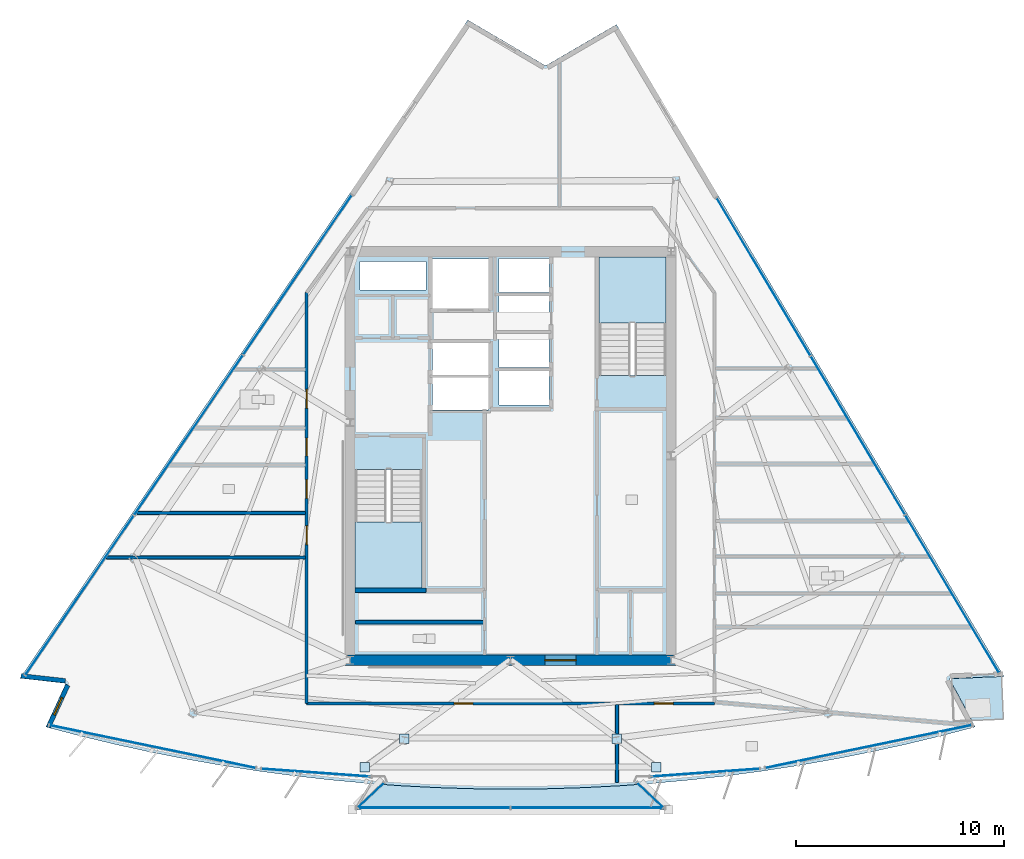
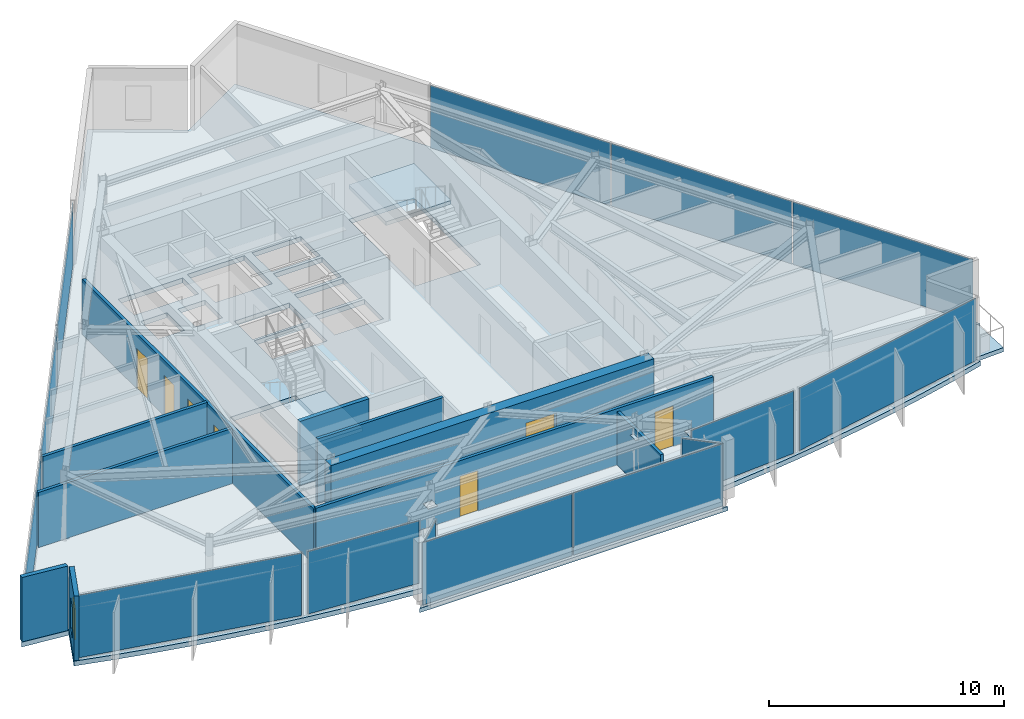
# One storey, part 6 of 13: 18 plates, 10 walls, 7 doors, 5 slabs, 1 window, 8 openings, 11 elements without a shape of their own.
"""IFC4 building model written with IfcOpenShell, lengths in metres."""

from ifc_helpers import new_model, si_unit, direction, frame, frame_2d, origin, origin_2d, place, context, subcontext, project, spatial, polyline, rectangle, outline, extrude, material, layer, layer_set, type_object, element, fill, aggregate, save


model = new_model("IFC4")

# Units and contexts
model_context = context("Model", 3, precision=1e-05, world=origin(), true_north=direction((0.0, 1.0)))
body_context = subcontext(model_context, "Body", "Model", "MODEL_VIEW")
ifc_project = project(units=[si_unit("LENGTHUNIT", "METRE"), si_unit("AREAUNIT", "SQUARE_METRE"), si_unit("VOLUMEUNIT", "CUBIC_METRE"), si_unit("PLANEANGLEUNIT", "RADIAN"), si_unit("MASSUNIT", "GRAM", prefix="KILO")], contexts=[model_context])

# Site, building, storey
site_placement = place(None, origin())
site = spatial("IfcSite", under=ifc_project, at=site_placement, CompositionType="ELEMENT")
building_placement = place(site_placement, origin())
building = spatial("IfcBuilding", under=site, at=building_placement, Name="Savorim Split Tower", CompositionType="ELEMENT")
storey_placement = place(building_placement, frame((0.0, 0.0, 283.199951171875)))
storey = spatial("IfcBuildingStorey", under=building, at=storey_placement, Name="L75", CompositionType="ELEMENT", Elevation=283.199951171875)

# Curtain wall, plate
ifc_material_1 = material(Name="Dark Ceramic-Fritted Insulated Glass", Category="glass")
curtain_wall_type_1 = type_object("IfcCurtainWallType", Name="CW-TWR-FRIT-B", PredefinedType="NOTDEFINED", material=ifc_material_1)
curtain_wall_1_placement = place(storey_placement, origin())
curtain_wall_1 = element("IfcCurtainWall", 1, at=curtain_wall_1_placement, inside=storey, type_object=curtain_wall_type_1, Name="L75 Curtain Wall CW-L75-SF1A", PredefinedType="NOTDEFINED")
ifc_layer_1 = layer(ifc_material_1, 0.02587890625)
ifc_layer_set_1 = layer_set([ifc_layer_1], Name="CWP-FRITB-26")
plate_type_1 = type_object("IfcPlateType", Name="CWP-FRITB-26", PredefinedType="CURTAIN_PANEL", material=ifc_layer_set_1)
plate_1_placement = place(storey_placement, frame((-17.175537109375, -13.545654296875, 0.050048828125), z_axis=(0.0, 0.0, 1.0), x_axis=(0.979134131762, -0.203215038861, 0.0)))
plate_1 = element("IfcPlate", 2, at=plate_1_placement, type_object=plate_type_1, Name="CW-03 panel 1.1", PredefinedType="CURTAIN_PANEL", context=body_context, shape_type="SweptSolid", body=[
    extrude(rectangle(XDim=10.08544921875, YDim=0.02587890625, at=origin_2d()), origin(), (0.0, 0.0, 1.0), 3.25),
])
aggregate(curtain_wall_1, [plate_1])

curtain_wall_2_placement = place(storey_placement, origin())
curtain_wall_2 = element("IfcCurtainWall", 3, at=curtain_wall_2_placement, inside=storey, type_object=curtain_wall_type_1, Name="L75 Curtain Wall CW-L75-SF2A", PredefinedType="NOTDEFINED")
plate_2_placement = place(storey_placement, frame((-9.3173828125, -14.80029296875, 0.050048828125), z_axis=(0.0, 0.0, 1.0), x_axis=(0.997437022598, -0.071549884359, 0.0)))
plate_2 = element("IfcPlate", 4, at=plate_2_placement, type_object=plate_type_1, Name="CW-03 panel 1.1", PredefinedType="CURTAIN_PANEL", context=body_context, shape_type="SweptSolid", body=[
    extrude(rectangle(XDim=5.25390625, YDim=0.02587890625, at=origin_2d()), origin(), (0.0, 0.0, 1.0), 3.25),
])
aggregate(curtain_wall_2, [plate_2])

curtain_wall_3_placement = place(storey_placement, origin())
curtain_wall_3 = element("IfcCurtainWall", 5, at=curtain_wall_3_placement, inside=storey, type_object=curtain_wall_type_1, Name="L75 Curtain Wall CW-L75-SF3A", PredefinedType="NOTDEFINED")
plate_3_placement = place(storey_placement, frame((9.3173828125, -14.80029296875, 0.050048828125), z_axis=(0.0, 0.0, 1.0), x_axis=(0.997437022598, 0.071549884359, 0.0)))
plate_3 = element("IfcPlate", 6, at=plate_3_placement, type_object=plate_type_1, Name="CW-03 panel 1.1", PredefinedType="CURTAIN_PANEL", context=body_context, shape_type="SweptSolid", body=[
    extrude(rectangle(XDim=5.25390625, YDim=0.02587890625, at=origin_2d()), origin(), (0.0, 0.0, 1.0), 3.25),
])
aggregate(curtain_wall_3, [plate_3])

curtain_wall_4_placement = place(storey_placement, origin())
curtain_wall_4 = element("IfcCurtainWall", 7, at=curtain_wall_4_placement, inside=storey, type_object=curtain_wall_type_1, Name="L75 Curtain Wall CW-L75-SF4A", PredefinedType="NOTDEFINED")
plate_4_placement = place(storey_placement, frame((17.175537109375, -13.545654296875, 0.050048828125), z_axis=(0.0, 0.0, 1.0), x_axis=(0.979134131762, 0.203215038861, 0.0)))
plate_4 = element("IfcPlate", 8, at=plate_4_placement, type_object=plate_type_1, Name="CW-03 panel 1.1", PredefinedType="CURTAIN_PANEL", context=body_context, shape_type="SweptSolid", body=[
    extrude(rectangle(XDim=10.08544921875, YDim=0.02587890625, at=origin_2d()), origin(), (0.0, 0.0, 1.0), 3.25),
])
aggregate(curtain_wall_4, [plate_4])

# Curtain wall, plates
curtain_wall_5_placement = place(storey_placement, origin())
curtain_wall_5 = element("IfcCurtainWall", 9, at=curtain_wall_5_placement, inside=storey, type_object=curtain_wall_type_1, Name="L75 Curtain Wall CW-L75-EAST", PredefinedType="NOTDEFINED")
plate_5_placement = place(storey_placement, frame((21.18701171875, -6.226318359375, 0.050048828125), z_axis=(0.0, 0.0, 1.0), x_axis=(-0.511091684727, 0.859526200766, 0.0)))
plate_5 = element("IfcPlate", 10, at=plate_5_placement, type_object=plate_type_1, Name="CW-03 panel 1.1", PredefinedType="CURTAIN_PANEL", context=body_context, shape_type="SweptSolid", body=[
    extrude(rectangle(XDim=8.775390625, YDim=0.02587890625, at=origin_2d()), origin(), (0.0, 0.0, 1.0), 3.25),
])
plate_6_placement = place(storey_placement, frame((16.66357421875, 1.380615234375, 0.050048828125), z_axis=(0.0, 0.0, 1.0), x_axis=(-0.511091684727, 0.859526200766, 0.0)))
plate_6 = element("IfcPlate", 11, at=plate_6_placement, type_object=plate_type_1, Name="CW-03 panel 2.1", PredefinedType="CURTAIN_PANEL", context=body_context, shape_type="SweptSolid", body=[
    extrude(rectangle(XDim=8.80517578125, YDim=0.02587890625, at=origin_2d()), origin(), (0.0, 0.0, 1.0), 3.25),
])
plate_7_placement = place(storey_placement, frame((12.140380859375, 8.98779296875, 0.050048828125), z_axis=(0.0, 0.0, 1.0), x_axis=(-0.511091684727, 0.859526200766, 0.0)))
plate_7 = element("IfcPlate", 12, at=plate_7_placement, type_object=plate_type_1, Name="CW-03 panel 3.1", PredefinedType="CURTAIN_PANEL", context=body_context, shape_type="SweptSolid", body=[
    extrude(rectangle(XDim=8.775390625, YDim=0.02587890625, at=origin_2d()), origin(), (0.0, 0.0, 1.0), 3.25),
])
aggregate(curtain_wall_5, [plate_5, plate_6, plate_7])

curtain_wall_6_placement = place(storey_placement, origin())
curtain_wall_6 = element("IfcCurtainWall", 13, at=curtain_wall_6_placement, inside=storey, type_object=curtain_wall_type_1, Name="L75 Curtain Wall CW-L75-WEST", PredefinedType="NOTDEFINED")
plate_8_placement = place(storey_placement, frame((-10.220703125, 9.082275390625, 0.050048828125), z_axis=(0.0, 0.0, 1.0), x_axis=(-0.562470084107, -0.826817636776, 0.0)))
plate_8 = element("IfcPlate", 14, at=plate_8_placement, type_object=plate_type_1, Name="CW-03 panel 1.1", PredefinedType="CURTAIN_PANEL", context=body_context, shape_type="SweptSolid", body=[
    extrude(rectangle(XDim=9.22265625, YDim=0.02587890625, at=origin_2d()), origin(), (0.0, 0.0, 1.0), 3.25),
])
plate_9_placement = place(storey_placement, frame((-15.450439453125, 1.394775390625, 0.050048828125), z_axis=(0.0, 0.0, 1.0), x_axis=(-0.562470084107, -0.826817636776, 0.0)))
plate_9 = element("IfcPlate", 15, at=plate_9_placement, type_object=plate_type_1, Name="CW-03 panel 2.1", PredefinedType="CURTAIN_PANEL", context=body_context, shape_type="SweptSolid", body=[
    extrude(rectangle(XDim=9.252685546875, YDim=0.02587890625, at=origin_2d()), origin(), (0.0, 0.0, 1.0), 3.25),
])
plate_10_placement = place(storey_placement, frame((-20.679931640625, -6.292724609375, 0.050048828125), z_axis=(0.0, 0.0, 1.0), x_axis=(-0.562470084107, -0.826817636776, 0.0)))
plate_10 = element("IfcPlate", 16, at=plate_10_placement, type_object=plate_type_1, Name="CW-03 panel 3.1", PredefinedType="CURTAIN_PANEL", context=body_context, shape_type="SweptSolid", body=[
    extrude(rectangle(XDim=9.22265625, YDim=0.02587890625, at=origin_2d()), origin(), (0.0, 0.0, 1.0), 3.25),
])
aggregate(curtain_wall_6, [plate_8, plate_9, plate_10])

curtain_wall_type_2 = type_object("IfcCurtainWallType", Name="CW-BAY-LOUNGE", PredefinedType="NOTDEFINED", material=ifc_material_1)
curtain_wall_7_placement = place(storey_placement, origin())
curtain_wall_7 = element("IfcCurtainWall", 17, at=curtain_wall_7_placement, inside=storey, type_object=curtain_wall_type_2, Name="L75 Curtain Wall CW-L75-BAYF", PredefinedType="NOTDEFINED")
ifc_material_2 = material(Name="Low-E Operable Double Glazing", Category="glass")
ifc_layer_2 = layer(ifc_material_2, 0.031982421875)
ifc_layer_set_2 = layer_set([ifc_layer_2], Name="CWP-POD-32")
plate_type_2 = type_object("IfcPlateType", Name="CWP-POD-32", PredefinedType="CURTAIN_PANEL", material=ifc_layer_set_2)
plate_11_placement = place(storey_placement, frame((-3.713134765625, -16.4794921875, 0.05517578125), z_axis=(0.0, 0.0, 1.0), x_axis=(1.0, 0.0, 0.0)))
plate_11 = element("IfcPlate", 18, at=plate_11_placement, type_object=plate_type_2, Name="CW-04 panel 1.1", PredefinedType="CURTAIN_PANEL", context=body_context, shape_type="SweptSolid", body=[
    extrude(rectangle(XDim=7.361083984375, YDim=0.031982421875, at=origin_2d()), origin(), (0.0, 0.0, 1.0), 3.239990234375),
])
plate_12_placement = place(storey_placement, frame((3.713134765625, -16.4794921875, 0.05517578125), z_axis=(0.0, 0.0, 1.0), x_axis=(1.0, 0.0, 0.0)))
plate_12 = element("IfcPlate", 19, at=plate_12_placement, type_object=plate_type_2, Name="CW-04 panel 2.1", PredefinedType="CURTAIN_PANEL", context=body_context, shape_type="SweptSolid", body=[
    extrude(rectangle(XDim=7.361083984375, YDim=0.031982421875, at=origin_2d()), origin(), (0.0, 0.0, 1.0), 3.239990234375),
])
aggregate(curtain_wall_7, [plate_11, plate_12])

# Curtain wall, plate
curtain_wall_8_placement = place(storey_placement, origin())
curtain_wall_8 = element("IfcCurtainWall", 20, at=curtain_wall_8_placement, inside=storey, type_object=curtain_wall_type_2, Name="L75 Curtain Wall CW-L75-BAYW", PredefinedType="NOTDEFINED")
plate_13_placement = place(storey_placement, frame((-6.695068359375, -15.880126953125, 0.05517578125), z_axis=(0.0, 0.0, 1.0), x_axis=(-0.725949819839, -0.68774767108, 0.0)))
plate_13 = element("IfcPlate", 21, at=plate_13_placement, type_object=plate_type_2, Name="CW-04 panel 1.1", PredefinedType="CURTAIN_PANEL", context=body_context, shape_type="SweptSolid", body=[
    extrude(rectangle(XDim=1.705078125, YDim=0.031982421875, at=origin_2d()), origin(), (0.0, 0.0, 1.0), 3.239990234375),
])
aggregate(curtain_wall_8, [plate_13])

curtain_wall_9_placement = place(storey_placement, origin())
curtain_wall_9 = element("IfcCurtainWall", 22, at=curtain_wall_9_placement, inside=storey, type_object=curtain_wall_type_2, Name="L75 Curtain Wall CW-L75-BAYE", PredefinedType="NOTDEFINED")
plate_14_placement = place(storey_placement, frame((6.695068359375, -15.880126953125, 0.05517578125), z_axis=(0.0, 0.0, 1.0), x_axis=(-0.725949819839, 0.68774767108, 0.0)))
plate_14 = element("IfcPlate", 23, at=plate_14_placement, type_object=plate_type_2, Name="CW-04 panel 1.1", PredefinedType="CURTAIN_PANEL", context=body_context, shape_type="SweptSolid", body=[
    extrude(rectangle(XDim=1.705078125, YDim=0.031982421875, at=origin_2d()), origin(), (0.0, 0.0, 1.0), 3.239990234375),
])
aggregate(curtain_wall_9, [plate_14])

# Plates
ifc_material_3 = material(Name="Steel S460", Category="steel")
ifc_layer_3 = layer(ifc_material_3, 0.02490234375)
ifc_layer_set_3 = layer_set([ifc_layer_3], Name="PLT-NODE-CN1")
plate_type_3 = type_object("IfcPlateType", Name="PLT-NODE-CN1", PredefinedType="SHEET", material=ifc_layer_set_3)
for number, where, z_axis, x_axis, name in (
    (24, (-5.097412109375, -13.1787109375, 2.4375), (0.0, 0.0, 1.0), (1.0, 0.0, 0.0), "L75 Bay Strut Column Gusset Plate 1"),
    (25, (-6.9833984375, -14.529541015625, 2.8076171875), (0.0, 0.0, 1.0), (1.0, 0.0, 0.0), "L75 Bay Strut Tip Gusset Plate 1"),
    (26, (5.097412109375, -13.1787109375, 2.4375), (0.0, 0.0, 1.0), (1.0, 0.0, 0.0), "L75 Bay Strut Column Gusset Plate 2"),
    (27, (6.9833984375, -14.529541015625, 2.8076171875), (0.0, 0.0, 1.0), (1.0, 0.0, 0.0), "L75 Bay Strut Tip Gusset Plate 2"),
):
    element("IfcPlate", number, at=place(storey_placement, frame(where, z_axis=z_axis, x_axis=x_axis)), inside=storey, type_object=plate_type_3, Name=name, PredefinedType="SHEET", context=body_context, shape_type="SweptSolid", body=[
        extrude(rectangle(XDim=0.4599609375, YDim=0.4599609375, at=origin_2d()), origin(), (0.0, 0.0, 1.0), 0.02490234375),
    ])

# Slabs
ifc_material_4 = material(Name="Concrete C50/60", Category="concrete")
ifc_layer_4 = layer(ifc_material_4, 0.219970703125)
ifc_layer_set_4 = layer_set([ifc_layer_4], Name="SLB-BAL-220")
slab_type_1 = type_object("IfcSlabType", Name="SLB-BAL-220", PredefinedType="FLOOR", material=ifc_layer_set_4)
slab_1_placement = place(storey_placement, frame((0.0, 0.0, -0.219970703125)))
element("IfcSlab", 28, at=slab_1_placement, inside=storey, type_object=slab_type_1, Name="L75 Cantilevered Shared Kitchen Lounge Slab", PredefinedType="FLOOR", context=body_context, shape_type="SweptSolid", body=[
    extrude(outline(polyline([(6.28271484375, -15.351806640625), (5.20263671875, -15.42919921875), (3.4697265625, -15.51806640625), (1.735107421875, -15.5712890625), (0.0, -15.589111328125), (-1.735107421875, -15.5712890625), (-3.4697265625, -15.51806640625), (-5.20263671875, -15.42919921875), (-6.28271484375, -15.351806640625), (-7.57861328125, -16.57958984375), (7.57861328125, -16.57958984375), (6.28271484375, -15.351806640625)])), origin(), (0.0, 0.0, 1.0), 0.219970703125),
])
slab_2_placement = place(storey_placement, frame((0.0, 0.0, -0.219970703125)))
element("IfcSlab", 29, at=slab_2_placement, inside=storey, type_object=slab_type_1, Name="L75 Notched Corner Planted Tree Balcony Slab", PredefinedType="FLOOR", context=body_context, shape_type="SweptSolid", body=[
    extrude(outline(polyline([(23.555908203125, -10.18701171875), (21.170654296875, -10.28857421875), (21.1806640625, -10.5205078125), (22.132568359375, -12.29443359375), (23.64306640625, -12.230224609375), (23.555908203125, -10.18701171875)])), origin(), (0.0, 0.0, 1.0), 0.219970703125),
])

# Stair, slab
stair_type = type_object("IfcStairType", Name="STR-DOG-3600", PredefinedType="HALF_TURN_STAIR", material=ifc_material_4)
stair_1_placement = place(storey_placement, origin())
stair_1 = element("IfcStair", 30, at=stair_1_placement, inside=storey, type_object=stair_type, Name="L75 Core Protected Exit Stair ST-1", PredefinedType="HALF_TURN_STAIR")
ifc_layer_5 = layer(ifc_material_4, 0.199951171875)
ifc_layer_set_5 = layer_set([ifc_layer_5], Name="SLB-LND-200")
slab_type_2 = type_object("IfcSlabType", Name="SLB-LND-200", PredefinedType="LANDING", material=ifc_layer_set_5)
slab_3_placement = place(storey_placement, frame((0.0, 0.0, 1.60009765625)))
slab_3 = element("IfcSlab", 31, at=slab_3_placement, type_object=slab_type_2, Name="ST-1 landing 1", PredefinedType="LANDING", context=body_context, shape_type="SweptSolid", body=[
    extrude(outline(polyline([(-7.449951171875, -2.77001953125), (-7.449951171875, -5.949951171875), (-4.25, -5.949951171875), (-4.25, -2.77001953125), (-7.449951171875, -2.77001953125)])), origin(), (0.0, 0.0, 1.0), 0.199951171875),
])
aggregate(stair_1, [slab_3])

stair_2_placement = place(storey_placement, origin())
stair_2 = element("IfcStair", 32, at=stair_2_placement, inside=storey, type_object=stair_type, Name="L75 Core Protected Exit Stair ST-2", PredefinedType="HALF_TURN_STAIR")
slab_4_placement = place(storey_placement, frame((0.0, 0.0, 1.60009765625)))
slab_4 = element("IfcSlab", 33, at=slab_4_placement, type_object=slab_type_2, Name="ST-2 landing 1", PredefinedType="LANDING", context=body_context, shape_type="SweptSolid", body=[
    extrude(outline(polyline([(7.449951171875, 6.77001953125), (7.449951171875, 9.949951171875), (4.25, 9.949951171875), (4.25, 6.77001953125), (7.449951171875, 6.77001953125)])), origin(), (0.0, 0.0, 1.0), 0.199951171875),
])
aggregate(stair_2, [slab_4])

# Slab
ifc_layer_6 = layer(ifc_material_4, 0.25)
ifc_layer_set_6 = layer_set([ifc_layer_6], Name="SLB-TWR-250")
slab_type_3 = type_object("IfcSlabType", Name="SLB-TWR-250", PredefinedType="FLOOR", material=ifc_layer_set_6)
slab_5_placement = place(storey_placement, frame((0.0, 0.0, -0.25)))
element("IfcSlab", 34, at=slab_5_placement, inside=storey, type_object=slab_type_3, Name="L75 Structural Floor Slab", PredefinedType="FLOOR", context=body_context, shape_type="SweptSolid", body=[
    extrude(outline(polyline([(-22.2939453125, -12.60595703125), (-20.615234375, -13.045166015625), (-18.927734375, -13.44970703125), (-17.232421875, -13.819580078125), (-15.52978515625, -14.15478515625), (-13.820556640625, -14.455078125), (-12.105712890625, -14.720458984375), (-10.3857421875, -14.95068359375), (-8.66162109375, -15.1455078125), (-6.93359375, -15.30517578125), (-5.20263671875, -15.42919921875), (-3.4697265625, -15.51806640625), (-1.735107421875, -15.5712890625), (0.0, -15.589111328125), (1.735107421875, -15.5712890625), (3.4697265625, -15.51806640625), (5.20263671875, -15.42919921875), (6.93359375, -15.30517578125), (8.66162109375, -15.1455078125), (10.3857421875, -14.95068359375), (12.105712890625, -14.720458984375), (13.820556640625, -14.455078125), (15.52978515625, -14.15478515625), (17.232421875, -13.819580078125), (18.927734375, -13.44970703125), (20.615234375, -13.045166015625), (22.2939453125, -12.60595703125), (21.050537109375, -10.288818359375), (23.67578125, -10.177001953125), (5.08203125, 21.0927734375), (1.687744140625, 19.114501953125), (-2.047607421875, 21.31005859375), (-23.530517578125, -10.269287109375), (-21.333251953125, -10.514892578125), (-22.2939453125, -12.60595703125)]), holes=[polyline([(-7.449951171875, -0.25390625), (-7.449951171875, -5.949951171875), (-4.25, -5.949951171875), (-4.25, -0.25390625), (-7.449951171875, -0.25390625)]), polyline([(7.449951171875, 4.25390625), (7.449951171875, 9.949951171875), (4.25, 9.949951171875), (4.25, 4.25390625), (7.449951171875, 4.25390625)]), polyline([(-0.550048828125, 2.830078125), (1.85009765625, 2.830078125), (1.85009765625, 4.469970703125), (-0.550048828125, 4.469970703125), (-0.550048828125, 2.830078125)]), polyline([(-0.550048828125, 4.6298828125), (1.85009765625, 4.6298828125), (1.85009765625, 6.27001953125), (-0.550048828125, 6.27001953125), (-0.550048828125, 4.6298828125)]), polyline([(-0.550048828125, 6.429931640625), (1.85009765625, 6.429931640625), (1.85009765625, 8.070068359375), (-0.550048828125, 8.070068359375), (-0.550048828125, 6.429931640625)]), polyline([(-0.550048828125, 8.22998046875), (1.85009765625, 8.22998046875), (1.85009765625, 9.8701171875), (-0.550048828125, 9.8701171875), (-0.550048828125, 8.22998046875)]), polyline([(-3.75, 2.60009765625), (-1.050048828125, 2.60009765625), (-1.050048828125, 4.159912109375), (-3.75, 4.159912109375), (-3.75, 2.60009765625)]), polyline([(-3.75, 4.280029296875), (-1.050048828125, 4.280029296875), (-1.050048828125, 5.840087890625), (-3.75, 5.840087890625), (-3.75, 4.280029296875)]), polyline([(-3.75, 7.449951171875), (-0.949951171875, 7.449951171875), (-0.949951171875, 9.85009765625), (-3.75, 9.85009765625), (-3.75, 7.449951171875)]), polyline([(-7.219970703125, 6.320068359375), (-5.919921875, 6.320068359375), (-5.919921875, 7.820068359375), (-7.219970703125, 7.820068359375), (-7.219970703125, 6.320068359375)]), polyline([(-5.3798828125, 6.320068359375), (-4.050048828125, 6.320068359375), (-4.050048828125, 7.820068359375), (-5.3798828125, 7.820068359375), (-5.3798828125, 6.320068359375)]), polyline([(-7.219970703125, 8.360107421875), (-4.050048828125, 8.360107421875), (-4.050048828125, 9.719970703125), (-7.219970703125, 9.719970703125), (-7.219970703125, 8.360107421875)])]), origin(), (0.0, 0.0, 1.0), 0.25),
])

# Wall, opening, door
ifc_material_5 = material(Name="Concrete C60/75", Category="concrete")
ifc_layer_7 = layer(ifc_material_5, 0.5)
ifc_layer_set_7 = layer_set([ifc_layer_7], Name="WAL-COR-SH500")
wall_type_1 = type_object("IfcWallType", Name="WAL-COR-SH500", PredefinedType="SHEAR", material=ifc_layer_set_7)
wall_1_placement = place(storey_placement, frame((-7.949951171875, -9.39990234375, 0.0), z_axis=(0.0, 0.0, 1.0), x_axis=(1.0, 0.0, 0.0)))
wall_1 = element("IfcWall", 35, at=wall_1_placement, inside=storey, type_object=wall_type_1, Name="L75 Offset Core South Shear Wall", PredefinedType="SHEAR", context=body_context, shape_type="SweptSolid", body=[
    extrude(rectangle(XDim=15.89990234375, YDim=0.5, at=frame_2d((7.949951171875, 0.0))), origin(), (0.0, 0.0, 1.0), 3.35009765625),
])
opening_1_placement = place(wall_1_placement, frame((9.60009765625, 0.0, 0.0)))
opening_1 = element("IfcOpeningElement", 36, at=opening_1_placement, cuts=wall_1, Name="Opening DI-02", PredefinedType="OPENING", context=body_context, shape_type="SweptSolid", body=[
    extrude(rectangle(XDim=1.5, YDim=2.199951171875, at=frame_2d((0.75, 1.10009765625))), frame((0.0, 0.260009765625, 0.0), z_axis=(0.0, -1.0, 0.0), x_axis=(1.0, 0.0, 0.0)), (0.0, 0.0, 1.0), 0.52001953125),
])
ifc_material_6 = material(Name="Timber Fire Door Leaf", Category="wood")
door_type_1 = type_object("IfcDoorType", Name="DOR-DBL-1500", OperationType="NOTDEFINED", PredefinedType="DOOR", material=ifc_material_6)
door_1_placement = place(opening_1_placement, origin())
door_1 = element("IfcDoor", 37, at=door_1_placement, inside=storey, type_object=door_type_1, Name="DOR-L75-COR-LLOB - L75 Lift Lobby Main Rated Door", OperationType="DOUBLE_DOOR_SINGLE_SWING", OverallHeight=2.199951171875, OverallWidth=1.5, PredefinedType="DOOR", context=body_context, shape_type="SweptSolid", body=[
    extrude(rectangle(XDim=1.5, YDim=2.199951171875, at=frame_2d((0.75, 1.10009765625))), frame((0.0, 0.02490234375, 0.0), z_axis=(0.0, -1.0, 0.0), x_axis=(1.0, 0.0, 0.0)), (0.0, 0.0, 1.0), 0.050048828125),
])
fill(opening_1, door_1)

# Wall
ifc_material_7 = material(Name="Precast concrete C40/50", Category="concrete")
ifc_layer_8 = layer(ifc_material_7, 0.219970703125)
ifc_layer_set_8 = layer_set([ifc_layer_8], Name="WAL-EXT-CRN220")
wall_type_2 = type_object("IfcWallType", Name="WAL-EXT-CRN220", PredefinedType="SOLIDWALL", material=ifc_layer_set_8)
wall_2_placement = place(storey_placement, frame((-21.359619140625, -10.39111328125, 0.0), z_axis=(0.0, 0.0, 1.0), x_axis=(-0.993817888275, 0.111022542511, 0.0)))
element("IfcWall", 38, at=wall_2_placement, inside=storey, type_object=wall_type_2, Name="L75 Notched Corner Facade Wall SW1", PredefinedType="SOLIDWALL", context=body_context, shape_type="SweptSolid", body=[
    extrude(rectangle(XDim=2.130859375, YDim=0.219970703125, at=frame_2d((1.0654296875, 0.0))), origin(), (0.0, 0.0, 1.0), 3.35009765625),
])

# Wall, opening, window
wall_3_placement = place(storey_placement, frame((-22.168212890625, -12.619873046875, 0.0), z_axis=(0.0, 0.0, 1.0), x_axis=(0.417426589535, 0.908710648308, 0.0)))
wall_3 = element("IfcWall", 39, at=wall_3_placement, inside=storey, type_object=wall_type_2, Name="L75 Notched Corner Facade Wall SW", PredefinedType="SOLIDWALL", context=body_context, shape_type="SweptSolid", body=[
    extrude(rectangle(XDim=2.221435546875, YDim=0.219970703125, at=frame_2d((1.11083984375, 0.0))), origin(), (0.0, 0.0, 1.0), 3.35009765625),
])
opening_2_placement = place(wall_3_placement, frame((0.66064453125, 0.0, 0.6201171875)))
opening_2 = element("IfcOpeningElement", 40, at=opening_2_placement, cuts=wall_3, Name="Opening WN-10", PredefinedType="OPENING", context=body_context, shape_type="SweptSolid", body=[
    extrude(rectangle(XDim=0.89990234375, YDim=1.60009765625, at=frame_2d((0.449951171875, 0.800048828125))), frame((0.0, 0.119873046875, 0.0), z_axis=(0.0, -1.0, 0.0), x_axis=(1.0, 0.0, 0.0)), (0.0, 0.0, 1.0), 0.239990234375),
])
window_type = type_object("IfcWindowType", Name="WIN-TWR-900x1600", PartitioningType="SINGLE_PANEL", PredefinedType="WINDOW", material=ifc_material_2)
window_placement = place(opening_2_placement, origin())
window = element("IfcWindow", 41, at=window_placement, inside=storey, type_object=window_type, Name="L75 Operable Corner Window SW", OverallHeight=1.60009765625, OverallWidth=0.89990234375, PartitioningType="SINGLE_PANEL", PredefinedType="WINDOW", context=body_context, shape_type="SweptSolid", body=[
    extrude(rectangle(XDim=0.89990234375, YDim=1.60009765625, at=frame_2d((0.449951171875, 0.800048828125))), frame((0.0, 0.030029296875, 0.0), z_axis=(0.0, -1.0, 0.0), x_axis=(1.0, 0.0, 0.0)), (0.0, 0.0, 1.0), 0.06005859375),
])
fill(opening_2, window)

# Walls
ifc_layer_9 = layer(ifc_material_4, 0.199951171875)
ifc_layer_set_9 = layer_set([ifc_layer_9], Name="WAL-INT-RC200")
wall_type_3 = type_object("IfcWallType", Name="WAL-INT-RC200", PredefinedType="SOLIDWALL", material=ifc_layer_set_9)
wall_4_placement = place(storey_placement, frame((-7.449951171875, -6.050048828125, 0.0), z_axis=(0.0, 0.0, 1.0), x_axis=(1.0, 0.0, 0.0)))
element("IfcWall", 42, at=wall_4_placement, inside=storey, type_object=wall_type_3, Name="L75 Structural Shaft Wall W-L75-KSEP-W", PredefinedType="SOLIDWALL", context=body_context, shape_type="SweptSolid", body=[
    extrude(rectangle(XDim=3.39990234375, YDim=0.199951171875, at=frame_2d((1.699951171875, 0.0))), origin(), (0.0, 0.0, 1.0), 3.35009765625),
])
ifc_material_8 = material(Name="Acoustic Gypsum Partition Board")
ifc_layer_10 = layer(ifc_material_8, 0.14990234375)
ifc_layer_set_10 = layer_set([ifc_layer_10], Name="WAL-PAR-150")
wall_type_4 = type_object("IfcWallType", Name="WAL-PAR-150", PredefinedType="PARTITIONING", material=ifc_layer_set_10)
wall_5_placement = place(storey_placement, frame((-7.445068359375, -7.580078125, 0.0), z_axis=(0.0, 0.0, 1.0), x_axis=(1.0, 0.0, 0.0)))
element("IfcWall", 43, at=wall_5_placement, inside=storey, type_object=wall_type_4, Name="L75 Partition W-L75-K2H", PredefinedType="PARTITIONING", context=body_context, shape_type="SweptSolid", body=[
    extrude(rectangle(XDim=6.195068359375, YDim=0.14990234375, at=frame_2d((3.09765625, 0.0))), origin(), (0.0, 0.0, 1.0), 3.35009765625),
])

# Wall, openings, doors
wall_6_placement = place(storey_placement, frame((-9.780029296875, -11.47998046875, 0.0), z_axis=(0.0, 0.0, 1.0), x_axis=(0.0, 1.0, 0.0)))
wall_6 = element("IfcWall", 44, at=wall_6_placement, inside=storey, type_object=wall_type_4, Name="L75 Partition W-L75-COR-01", PredefinedType="PARTITIONING", context=body_context, shape_type="SweptSolid", body=[
    extrude(rectangle(XDim=19.705810546875, YDim=0.14990234375, at=frame_2d((9.85302734375, 0.0))), origin(), (0.0, 0.0, 1.0), 2.875),
])
opening_3_placement = place(wall_6_placement, frame((9.83984375, 0.0, 0.0)))
opening_3 = element("IfcOpeningElement", 45, at=opening_3_placement, cuts=wall_6, Name="Opening DI-06", PredefinedType="OPENING", context=body_context, shape_type="SweptSolid", body=[
    extrude(rectangle(XDim=0.89990234375, YDim=2.10009765625, at=frame_2d((0.449951171875, 1.050048828125))), frame((0.0, 0.0849609375, 0.0), z_axis=(0.0, -1.0, 0.0), x_axis=(1.0, 0.0, 0.0)), (0.0, 0.0, 1.0), 0.169921875),
])
opening_4_placement = place(wall_6_placement, frame((7.620361328125, 0.0, 0.0)))
opening_4 = element("IfcOpeningElement", 46, at=opening_4_placement, cuts=wall_6, Name="Opening DI-06", PredefinedType="OPENING", context=body_context, shape_type="SweptSolid", body=[
    extrude(rectangle(XDim=0.89990234375, YDim=2.10009765625, at=frame_2d((0.449951171875, 1.050048828125))), frame((0.0, 0.0849609375, 0.0), z_axis=(0.0, -1.0, 0.0), x_axis=(1.0, 0.0, 0.0)), (0.0, 0.0, 1.0), 0.169921875),
])
opening_5_placement = place(wall_6_placement, frame((14.16796875, 0.0, 0.0)))
opening_5 = element("IfcOpeningElement", 47, at=opening_5_placement, cuts=wall_6, Name="Opening DI-11", PredefinedType="OPENING", context=body_context, shape_type="SweptSolid", body=[
    extrude(rectangle(XDim=0.89990234375, YDim=2.10009765625, at=frame_2d((0.449951171875, 1.050048828125))), frame((0.0, 0.0849609375, 0.0), z_axis=(0.0, -1.0, 0.0), x_axis=(1.0, 0.0, 0.0)), (0.0, 0.0, 1.0), 0.169921875),
])
opening_6_placement = place(wall_6_placement, frame((11.875244140625, 0.0, 0.0)))
opening_6 = element("IfcOpeningElement", 48, at=opening_6_placement, cuts=wall_6, Name="Opening DI-13", PredefinedType="OPENING", context=body_context, shape_type="SweptSolid", body=[
    extrude(rectangle(XDim=0.85009765625, YDim=2.10009765625, at=frame_2d((0.425048828125, 1.050048828125))), frame((0.0, 0.0849609375, 0.0), z_axis=(0.0, -1.0, 0.0), x_axis=(1.0, 0.0, 0.0)), (0.0, 0.0, 1.0), 0.169921875),
])
door_type_2 = type_object("IfcDoorType", Name="DOR-FIR-850", OperationType="NOTDEFINED", PredefinedType="DOOR", material=ifc_material_6)
door_2_placement = place(opening_6_placement, origin())
door_2 = element("IfcDoor", 49, at=door_2_placement, inside=storey, type_object=door_type_2, Name="DR-L75-RM15 - L75 Co-Living Bedroom Entry Door", OperationType="SINGLE_SWING_RIGHT", OverallHeight=2.10009765625, OverallWidth=0.85009765625, PredefinedType="DOOR", context=body_context, shape_type="SweptSolid", body=[
    extrude(rectangle(XDim=0.85009765625, YDim=2.10009765625, at=frame_2d((0.425048828125, 1.050048828125))), frame((0.0, 0.02490234375, 0.0), z_axis=(0.0, -1.0, 0.0), x_axis=(1.0, 0.0, 0.0)), (0.0, 0.0, 1.0), 0.050048828125),
])
fill(opening_6, door_2)
door_type_3 = type_object("IfcDoorType", Name="DOR-FIR-900", OperationType="NOTDEFINED", PredefinedType="DOOR", material=ifc_material_6)
door_3_placement = place(opening_3_placement, origin())
door_3 = element("IfcDoor", 50, at=door_3_placement, inside=storey, type_object=door_type_3, Name="DR-L75-RM01 - L75 Shared Kitchen Entry Door", OperationType="SINGLE_SWING_RIGHT", OverallHeight=2.10009765625, OverallWidth=0.89990234375, PredefinedType="DOOR", context=body_context, shape_type="SweptSolid", body=[
    extrude(rectangle(XDim=0.89990234375, YDim=2.10009765625, at=frame_2d((0.449951171875, 1.050048828125))), frame((0.0, 0.02490234375, 0.0), z_axis=(0.0, -1.0, 0.0), x_axis=(1.0, 0.0, 0.0)), (0.0, 0.0, 1.0), 0.050048828125),
])
fill(opening_3, door_3)
door_4_placement = place(opening_4_placement, origin())
door_4 = element("IfcDoor", 51, at=door_4_placement, inside=storey, type_object=door_type_3, Name="DR-L75-RM02 - L75 Maker Workshop Entry Door", OperationType="SINGLE_SWING_LEFT", OverallHeight=2.10009765625, OverallWidth=0.89990234375, PredefinedType="DOOR", context=body_context, shape_type="SweptSolid", body=[
    extrude(rectangle(XDim=0.89990234375, YDim=2.10009765625, at=frame_2d((0.449951171875, 1.050048828125))), frame((0.0, 0.02490234375, 0.0), z_axis=(0.0, -1.0, 0.0), x_axis=(1.0, 0.0, 0.0)), (0.0, 0.0, 1.0), 0.050048828125),
])
fill(opening_4, door_4)
ifc_material_9 = material(Name="Oak Veneer Acoustic Door")
door_type_4 = type_object("IfcDoorType", Name="DOR-WC-900", OperationType="NOTDEFINED", PredefinedType="DOOR", material=ifc_material_9)
door_5_placement = place(opening_5_placement, origin())
door_5 = element("IfcDoor", 52, at=door_5_placement, inside=storey, type_object=door_type_4, Name="DR-L75-RM14 - L75 Shared Bathroom Entry Door", OperationType="SINGLE_SWING_LEFT", OverallHeight=2.10009765625, OverallWidth=0.89990234375, PredefinedType="DOOR", context=body_context, shape_type="SweptSolid", body=[
    extrude(rectangle(XDim=0.89990234375, YDim=2.10009765625, at=frame_2d((0.449951171875, 1.050048828125))), frame((0.0, 0.02490234375, 0.0), z_axis=(0.0, -1.0, 0.0), x_axis=(1.0, 0.0, 0.0)), (0.0, 0.0, 1.0), 0.050048828125),
])
fill(opening_5, door_5)

wall_7_placement = place(storey_placement, frame((9.780029296875, -11.47998046875, 0.0), z_axis=(0.0, 0.0, 1.0), x_axis=(-1.0, 0.0, 0.0)))
wall_7 = element("IfcWall", 53, at=wall_7_placement, inside=storey, type_object=wall_type_4, Name="L75 Partition W-L75-COR-06", PredefinedType="PARTITIONING", context=body_context, shape_type="SweptSolid", body=[
    extrude(rectangle(XDim=19.56005859375, YDim=0.14990234375, at=frame_2d((9.780029296875, 0.0))), origin(), (0.0, 0.0, 1.0), 2.925048828125),
])
opening_7_placement = place(wall_7_placement, frame((11.580078125, 0.0, 0.0)))
opening_7 = element("IfcOpeningElement", 54, at=opening_7_placement, cuts=wall_7, Name="Opening DI-06", PredefinedType="OPENING", context=body_context, shape_type="SweptSolid", body=[
    extrude(rectangle(XDim=0.89990234375, YDim=2.10009765625, at=frame_2d((0.449951171875, 1.050048828125))), frame((0.0, 0.0849609375, 0.0), z_axis=(0.0, -1.0, 0.0), x_axis=(1.0, 0.0, 0.0)), (0.0, 0.0, 1.0), 0.169921875),
])
opening_8_placement = place(wall_7_placement, frame((1.978271484375, 0.0, 0.0)))
opening_8 = element("IfcOpeningElement", 55, at=opening_8_placement, cuts=wall_7, Name="Opening DI-06", PredefinedType="OPENING", context=body_context, shape_type="SweptSolid", body=[
    extrude(rectangle(XDim=0.89990234375, YDim=2.10009765625, at=frame_2d((0.449951171875, 1.050048828125))), frame((0.0, 0.0849609375, 0.0), z_axis=(0.0, -1.0, 0.0), x_axis=(1.0, 0.0, 0.0)), (0.0, 0.0, 1.0), 0.169921875),
])
door_6_placement = place(opening_7_placement, origin())
door_6 = element("IfcDoor", 56, at=door_6_placement, inside=storey, type_object=door_type_3, Name="DR-L75-RM03 - L75 Maker Workshop Entry Door", OperationType="SINGLE_SWING_RIGHT", OverallHeight=2.10009765625, OverallWidth=0.89990234375, PredefinedType="DOOR", context=body_context, shape_type="SweptSolid", body=[
    extrude(rectangle(XDim=0.89990234375, YDim=2.10009765625, at=frame_2d((0.449951171875, 1.050048828125))), frame((0.0, 0.02490234375, 0.0), z_axis=(0.0, -1.0, 0.0), x_axis=(1.0, 0.0, 0.0)), (0.0, 0.0, 1.0), 0.050048828125),
])
fill(opening_7, door_6)
door_7_placement = place(opening_8_placement, origin())
door_7 = element("IfcDoor", 57, at=door_7_placement, inside=storey, type_object=door_type_3, Name="DR-L75-RM04 - L75 Communal Kitchen Entry Door", OperationType="SINGLE_SWING_LEFT", OverallHeight=2.10009765625, OverallWidth=0.89990234375, PredefinedType="DOOR", context=body_context, shape_type="SweptSolid", body=[
    extrude(rectangle(XDim=0.89990234375, YDim=2.10009765625, at=frame_2d((0.449951171875, 1.050048828125))), frame((0.0, 0.02490234375, 0.0), z_axis=(0.0, -1.0, 0.0), x_axis=(1.0, 0.0, 0.0)), (0.0, 0.0, 1.0), 0.050048828125),
])
fill(opening_8, door_7)

# Walls
wall_8_placement = place(storey_placement, frame((5.101806640625, -11.5400390625, 0.0), z_axis=(0.0, 0.0, 1.0), x_axis=(0.0, -1.0, 0.0)))
element("IfcWall", 58, at=wall_8_placement, inside=storey, type_object=wall_type_4, Name="L75 Partition W-L75-PRAD03", PredefinedType="PARTITIONING", context=body_context, shape_type="SweptSolid", body=[
    extrude(rectangle(XDim=3.72412109375, YDim=0.14990234375, at=frame_2d((1.862060546875, 0.0))), origin(), (0.0, 0.0, 1.0), 2.775146484375),
])
wall_9_placement = place(storey_placement, frame((-9.840087890625, -4.48291015625, 0.0), z_axis=(0.0, 0.0, 1.0), x_axis=(-1.0, 0.0, 0.0)))
element("IfcWall", 59, at=wall_9_placement, inside=storey, type_object=wall_type_4, Name="L75 Partition W-L75-PRAD10", PredefinedType="PARTITIONING", context=body_context, shape_type="SweptSolid", body=[
    extrude(rectangle(XDim=9.54833984375, YDim=0.14990234375, at=frame_2d((4.774169921875, 0.0))), origin(), (0.0, 0.0, 1.0), 2.875),
])
wall_10_placement = place(storey_placement, frame((-9.840087890625, -2.33642578125, 0.0), z_axis=(0.0, 0.0, 1.0), x_axis=(-1.0, 0.0, 0.0)))
element("IfcWall", 60, at=wall_10_placement, inside=storey, type_object=wall_type_4, Name="L75 Partition W-L75-SUB04", PredefinedType="PARTITIONING", context=body_context, shape_type="SweptSolid", body=[
    extrude(rectangle(XDim=8.088134765625, YDim=0.14990234375, at=frame_2d((4.0439453125, 0.0))), origin(), (0.0, 0.0, 1.0), 2.925048828125),
])

save(model, "model.ifc")
